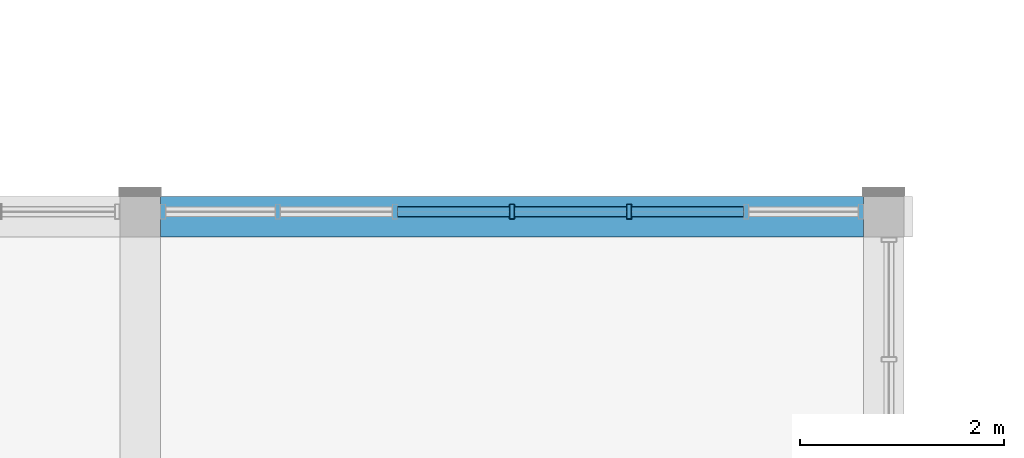
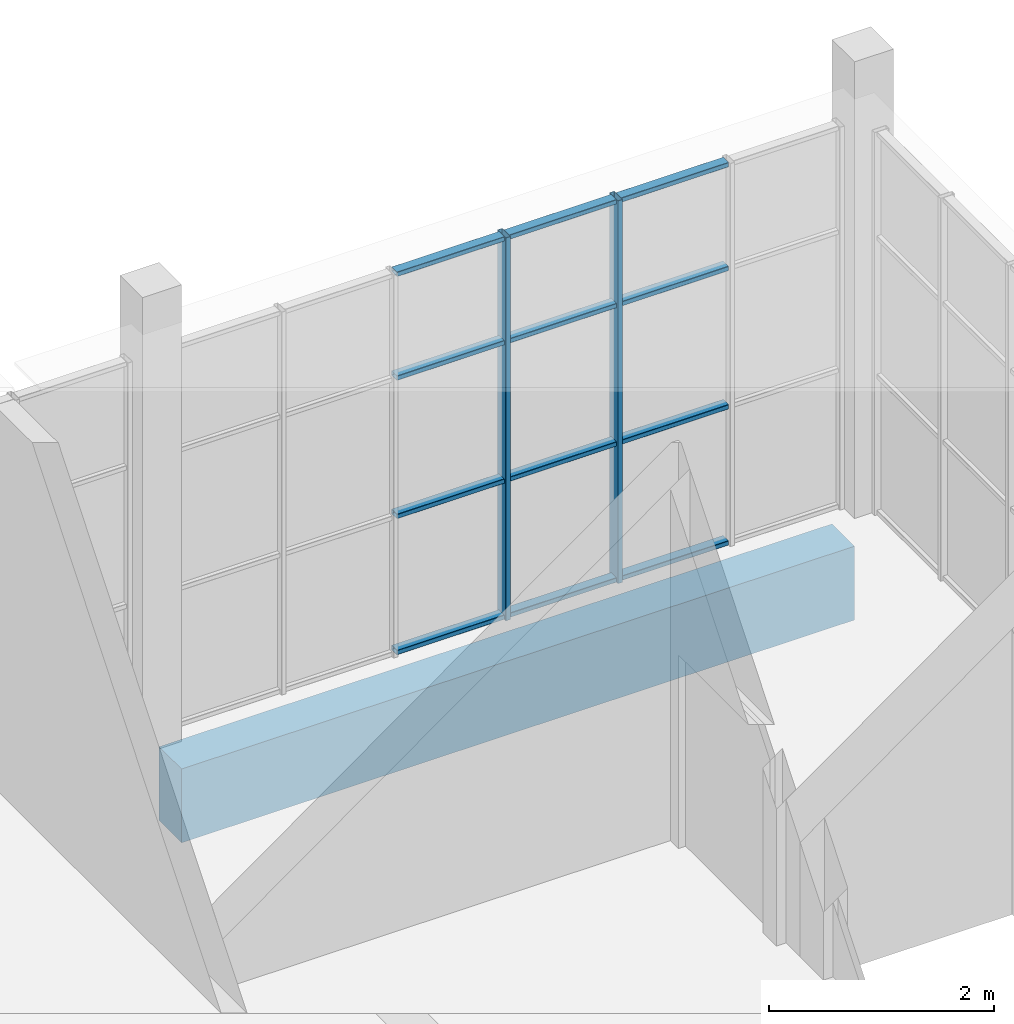
# One storey, part 27 of 125: 14 members, 1 beam, 1 element without a shape of its own.
"""IFC4 building model written with IfcOpenShell, lengths in metres."""

from ifc_helpers import new_model, si_unit, direction, frame, origin, origin_2d, place, context, subcontext, project, spatial, rectangle, hollow_rectangle, extrude, material, material_profile, profile_set, type_object, element, aggregate, save


model = new_model("IFC4")

# Units and contexts
model_context = context("Model", 3, precision=1e-05, world=origin(), true_north=direction((0.0, 1.0)))
body_context = subcontext(model_context, "Body", "Model", "MODEL_VIEW")
ifc_project = project(units=[si_unit("LENGTHUNIT", "METRE"), si_unit("AREAUNIT", "SQUARE_METRE"), si_unit("VOLUMEUNIT", "CUBIC_METRE"), si_unit("PLANEANGLEUNIT", "RADIAN"), si_unit("MASSUNIT", "GRAM", prefix="KILO")], contexts=[model_context])

# Site, building, storey
site_placement = place(None, origin())
site = spatial("IfcSite", under=ifc_project, at=site_placement, CompositionType="ELEMENT")
building_placement = place(site_placement, origin())
building = spatial("IfcBuilding", under=site, at=building_placement, Name="Sun Court Science Centre", CompositionType="ELEMENT")
storey_placement = place(building_placement, frame((0.0, 0.0, 6.0)))
storey = spatial("IfcBuildingStorey", under=building, at=storey_placement, Name="L01", CompositionType="ELEMENT", Elevation=6.0)

# Curtain wall, members
ifc_material_1 = material(Name="Aluminium EN AW-6063 T6", Category="aluminium")
curtain_wall_type = type_object("IfcCurtainWallType", Name="Pavilion curtain wall 1200", PredefinedType="NOTDEFINED", material=ifc_material_1)
curtain_wall_placement = place(storey_placement, origin())
curtain_wall = element("IfcCurtainWall", 1, at=curtain_wall_placement, inside=storey, type_object=curtain_wall_type, Name="Curtain wall V5 N L01 03", PredefinedType="NOTDEFINED")
ifc_material_2 = material(Name="Aluminium EN AW-6063 T6", Category="aluminium")
ifc_material_profile_1 = material_profile(ifc_material_2, hollow_rectangle(XDim=0.050048828125, YDim=0.14990234375, WallThickness=0.00390625, InnerFilletRadius=0.00390625, OuterFilletRadius=0.006103515625, at=origin_2d()), Name="AL 50x150x4")
ifc_profile_set_1 = profile_set([ifc_material_profile_1], Name="Aluminium EN AW-6063 T6")
member_type_1 = type_object("IfcMemberType", Name="Curtain wall mullion AL 50x150", PredefinedType="MULLION", material=ifc_profile_set_1)
member_1_placement = place(storey_placement, frame((62.14990234375, 49.85009765625, 0.0), z_axis=(0.0, 0.0, 1.0), x_axis=(1.0, 0.0, 0.0)))
member_1 = element("IfcMember", 2, at=member_1_placement, type_object=member_type_1, Name="CW3-16 mullion 4", PredefinedType="MULLION", context=body_context, shape_type="SweptSolid", body=[
    extrude(hollow_rectangle(XDim=0.050048828125, YDim=0.14990234375, WallThickness=0.00390625, InnerFilletRadius=0.00390625, OuterFilletRadius=0.006103515625, at=origin_2d()), origin(), (0.0, 0.0, 1.0), 4.14990234375),
])
member_2_placement = place(storey_placement, frame((63.300048828125, 49.85009765625, 0.0), z_axis=(0.0, 0.0, 1.0), x_axis=(1.0, 0.0, 0.0)))
member_2 = element("IfcMember", 3, at=member_2_placement, type_object=member_type_1, Name="CW3-16 mullion 5", PredefinedType="MULLION", context=body_context, shape_type="SweptSolid", body=[
    extrude(hollow_rectangle(XDim=0.050048828125, YDim=0.14990234375, WallThickness=0.00390625, InnerFilletRadius=0.00390625, OuterFilletRadius=0.006103515625, at=origin_2d()), origin(), (0.0, 0.0, 1.0), 4.14990234375),
])
ifc_material_3 = material(Name="Aluminium EN AW-6063 T6", Category="aluminium")
ifc_material_profile_2 = material_profile(ifc_material_3, hollow_rectangle(XDim=0.050048828125, YDim=0.10009765625, WallThickness=0.00390625, InnerFilletRadius=0.00390625, OuterFilletRadius=0.006103515625, at=origin_2d()), Name="AL 50x100x4")
ifc_profile_set_2 = profile_set([ifc_material_profile_2], Name="Aluminium EN AW-6063 T6")
member_type_2 = type_object("IfcMemberType", Name="Curtain wall transom AL 50x100", PredefinedType="USERDEFINED", material=ifc_profile_set_2)
member_3_placement = place(storey_placement, frame((61.02490234375, 49.85009765625, 0.02490234375), z_axis=(1.0, 0.0, 0.0), x_axis=(0.0, 0.0, 1.0)))
member_3 = element("IfcMember", 4, at=member_3_placement, type_object=member_type_2, Name="CW3-16 transom 3.1", ObjectType="TRANSOM", PredefinedType="USERDEFINED", context=body_context, shape_type="SweptSolid", body=[
    extrude(hollow_rectangle(XDim=0.050048828125, YDim=0.10009765625, WallThickness=0.00390625, InnerFilletRadius=0.00390625, OuterFilletRadius=0.006103515625, at=origin_2d()), origin(), (0.0, 0.0, 1.0), 1.10009765625),
])
member_4_placement = place(storey_placement, frame((62.175048828125, 49.85009765625, 0.02490234375), z_axis=(1.0, 0.0, 0.0), x_axis=(0.0, 0.0, 1.0)))
member_4 = element("IfcMember", 5, at=member_4_placement, type_object=member_type_2, Name="CW3-16 transom 4.1", ObjectType="TRANSOM", PredefinedType="USERDEFINED", context=body_context, shape_type="SweptSolid", body=[
    extrude(hollow_rectangle(XDim=0.050048828125, YDim=0.10009765625, WallThickness=0.00390625, InnerFilletRadius=0.00390625, OuterFilletRadius=0.006103515625, at=origin_2d()), origin(), (0.0, 0.0, 1.0), 1.099853515625),
])
member_5_placement = place(storey_placement, frame((63.324951171875, 49.85009765625, 0.02490234375), z_axis=(1.0, 0.0, 0.0), x_axis=(0.0, 0.0, 1.0)))
member_5 = element("IfcMember", 6, at=member_5_placement, type_object=member_type_2, Name="CW3-16 transom 5.1", ObjectType="TRANSOM", PredefinedType="USERDEFINED", context=body_context, shape_type="SweptSolid", body=[
    extrude(hollow_rectangle(XDim=0.050048828125, YDim=0.10009765625, WallThickness=0.00390625, InnerFilletRadius=0.00390625, OuterFilletRadius=0.006103515625, at=origin_2d()), origin(), (0.0, 0.0, 1.0), 1.10009765625),
])
member_6_placement = place(storey_placement, frame((61.02490234375, 49.85009765625, 1.5), z_axis=(1.0, 0.0, 0.0), x_axis=(0.0, 0.0, 1.0)))
member_6 = element("IfcMember", 7, at=member_6_placement, type_object=member_type_2, Name="CW3-16 transom 3.2", ObjectType="TRANSOM", PredefinedType="USERDEFINED", context=body_context, shape_type="SweptSolid", body=[
    extrude(hollow_rectangle(XDim=0.050048828125, YDim=0.10009765625, WallThickness=0.00390625, InnerFilletRadius=0.00390625, OuterFilletRadius=0.006103515625, at=origin_2d()), origin(), (0.0, 0.0, 1.0), 1.10009765625),
])
member_7_placement = place(storey_placement, frame((62.175048828125, 49.85009765625, 1.5), z_axis=(1.0, 0.0, 0.0), x_axis=(0.0, 0.0, 1.0)))
member_7 = element("IfcMember", 8, at=member_7_placement, type_object=member_type_2, Name="CW3-16 transom 4.2", ObjectType="TRANSOM", PredefinedType="USERDEFINED", context=body_context, shape_type="SweptSolid", body=[
    extrude(hollow_rectangle(XDim=0.050048828125, YDim=0.10009765625, WallThickness=0.00390625, InnerFilletRadius=0.00390625, OuterFilletRadius=0.006103515625, at=origin_2d()), origin(), (0.0, 0.0, 1.0), 1.099853515625),
])
member_8_placement = place(storey_placement, frame((63.324951171875, 49.85009765625, 1.5), z_axis=(1.0, 0.0, 0.0), x_axis=(0.0, 0.0, 1.0)))
member_8 = element("IfcMember", 9, at=member_8_placement, type_object=member_type_2, Name="CW3-16 transom 5.2", ObjectType="TRANSOM", PredefinedType="USERDEFINED", context=body_context, shape_type="SweptSolid", body=[
    extrude(hollow_rectangle(XDim=0.050048828125, YDim=0.10009765625, WallThickness=0.00390625, InnerFilletRadius=0.00390625, OuterFilletRadius=0.006103515625, at=origin_2d()), origin(), (0.0, 0.0, 1.0), 1.10009765625),
])
member_9_placement = place(storey_placement, frame((61.02490234375, 49.85009765625, 3.0), z_axis=(1.0, 0.0, 0.0), x_axis=(0.0, 0.0, 1.0)))
member_9 = element("IfcMember", 10, at=member_9_placement, type_object=member_type_2, Name="CW3-16 transom 3.3", ObjectType="TRANSOM", PredefinedType="USERDEFINED", context=body_context, shape_type="SweptSolid", body=[
    extrude(hollow_rectangle(XDim=0.050048828125, YDim=0.10009765625, WallThickness=0.00390625, InnerFilletRadius=0.00390625, OuterFilletRadius=0.006103515625, at=origin_2d()), origin(), (0.0, 0.0, 1.0), 1.10009765625),
])
member_10_placement = place(storey_placement, frame((62.175048828125, 49.85009765625, 3.0), z_axis=(1.0, 0.0, 0.0), x_axis=(0.0, 0.0, 1.0)))
member_10 = element("IfcMember", 11, at=member_10_placement, type_object=member_type_2, Name="CW3-16 transom 4.3", ObjectType="TRANSOM", PredefinedType="USERDEFINED", context=body_context, shape_type="SweptSolid", body=[
    extrude(hollow_rectangle(XDim=0.050048828125, YDim=0.10009765625, WallThickness=0.00390625, InnerFilletRadius=0.00390625, OuterFilletRadius=0.006103515625, at=origin_2d()), origin(), (0.0, 0.0, 1.0), 1.099853515625),
])
member_11_placement = place(storey_placement, frame((63.324951171875, 49.85009765625, 3.0), z_axis=(1.0, 0.0, 0.0), x_axis=(0.0, 0.0, 1.0)))
member_11 = element("IfcMember", 12, at=member_11_placement, type_object=member_type_2, Name="CW3-16 transom 5.3", ObjectType="TRANSOM", PredefinedType="USERDEFINED", context=body_context, shape_type="SweptSolid", body=[
    extrude(hollow_rectangle(XDim=0.050048828125, YDim=0.10009765625, WallThickness=0.00390625, InnerFilletRadius=0.00390625, OuterFilletRadius=0.006103515625, at=origin_2d()), origin(), (0.0, 0.0, 1.0), 1.10009765625),
])
member_12_placement = place(storey_placement, frame((61.02490234375, 49.85009765625, 4.125), z_axis=(1.0, 0.0, 0.0), x_axis=(0.0, 0.0, 1.0)))
member_12 = element("IfcMember", 13, at=member_12_placement, type_object=member_type_2, Name="CW3-16 transom 3.4", ObjectType="TRANSOM", PredefinedType="USERDEFINED", context=body_context, shape_type="SweptSolid", body=[
    extrude(hollow_rectangle(XDim=0.050048828125, YDim=0.10009765625, WallThickness=0.00390625, InnerFilletRadius=0.00390625, OuterFilletRadius=0.006103515625, at=origin_2d()), origin(), (0.0, 0.0, 1.0), 1.10009765625),
])
member_13_placement = place(storey_placement, frame((62.175048828125, 49.85009765625, 4.125), z_axis=(1.0, 0.0, 0.0), x_axis=(0.0, 0.0, 1.0)))
member_13 = element("IfcMember", 14, at=member_13_placement, type_object=member_type_2, Name="CW3-16 transom 4.4", ObjectType="TRANSOM", PredefinedType="USERDEFINED", context=body_context, shape_type="SweptSolid", body=[
    extrude(hollow_rectangle(XDim=0.050048828125, YDim=0.10009765625, WallThickness=0.00390625, InnerFilletRadius=0.00390625, OuterFilletRadius=0.006103515625, at=origin_2d()), origin(), (0.0, 0.0, 1.0), 1.099853515625),
])
member_14_placement = place(storey_placement, frame((63.324951171875, 49.85009765625, 4.125), z_axis=(1.0, 0.0, 0.0), x_axis=(0.0, 0.0, 1.0)))
member_14 = element("IfcMember", 15, at=member_14_placement, type_object=member_type_2, Name="CW3-16 transom 5.4", ObjectType="TRANSOM", PredefinedType="USERDEFINED", context=body_context, shape_type="SweptSolid", body=[
    extrude(hollow_rectangle(XDim=0.050048828125, YDim=0.10009765625, WallThickness=0.00390625, InnerFilletRadius=0.00390625, OuterFilletRadius=0.006103515625, at=origin_2d()), origin(), (0.0, 0.0, 1.0), 1.10009765625),
])
aggregate(curtain_wall, [member_1, member_2, member_3, member_4, member_5, member_6, member_7, member_8, member_9, member_10, member_11, member_12, member_13, member_14])

# Beam
ifc_material_4 = material(Name="Concrete C25/30", Category="concrete")
ifc_material_profile_3 = material_profile(ifc_material_4, rectangle(XDim=0.39990234375, YDim=0.800048828125, at=origin_2d()), Name="RC 400x800")
ifc_profile_set_3 = profile_set([ifc_material_profile_3], Name="Concrete C25/30")
beam_type = type_object("IfcBeamType", Name="RC girder 400x800", PredefinedType="BEAM", material=ifc_profile_set_3)
beam_placement = place(storey_placement, frame((58.699951171875, 49.800048828125, -0.699951171875), z_axis=(1.0, 0.0, 0.0), x_axis=(0.0, 1.0, 0.0)))
element("IfcBeam", 16, at=beam_placement, inside=storey, type_object=beam_type, Name="Girder L01 row 2", PredefinedType="BEAM", context=body_context, shape_type="SweptSolid", body=[
    extrude(rectangle(XDim=0.39990234375, YDim=0.800048828125, at=origin_2d()), origin(), (0.0, 0.0, 1.0), 6.900146484375),
])

save(model, "model.ifc")
